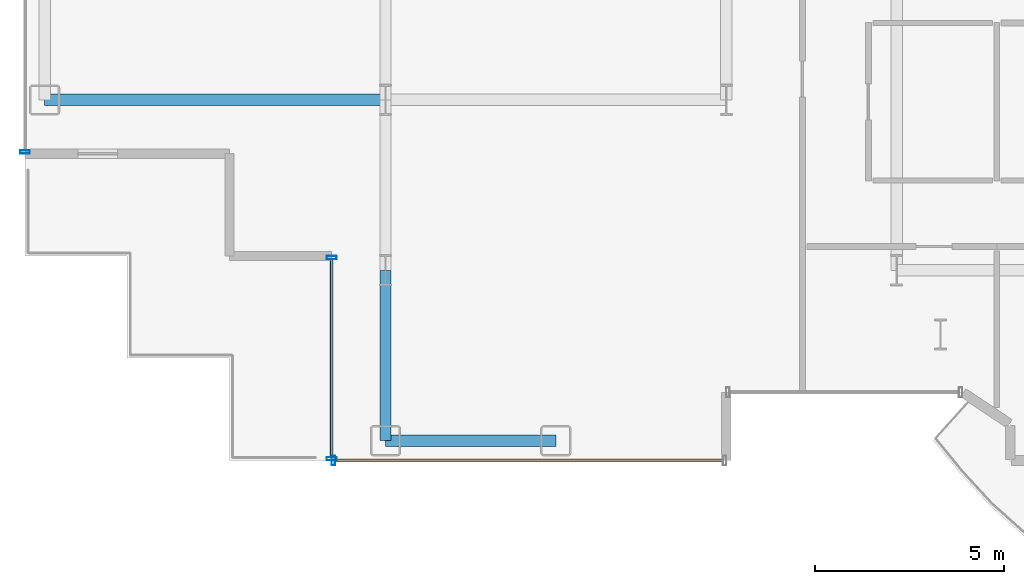
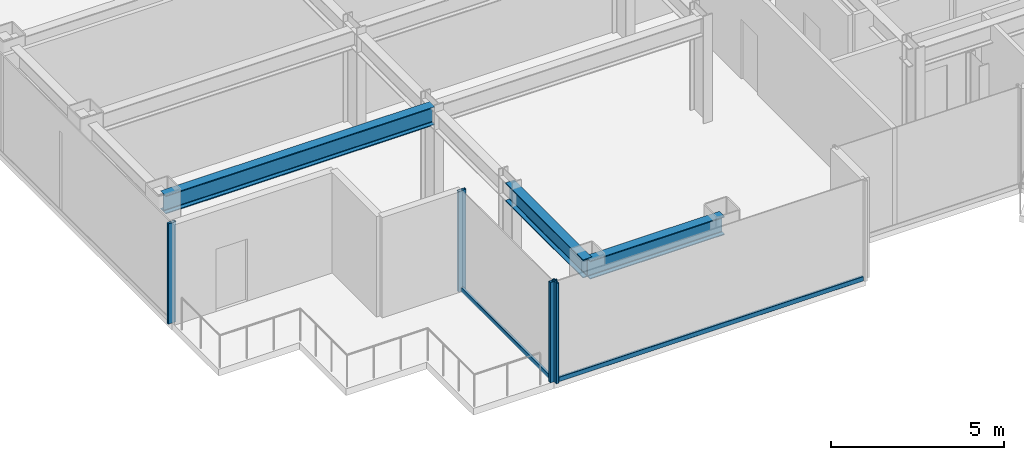
# One storey, part 3 of 23: 6 members, 3 beams, 3 elements without a shape of their own.
"""IFC4 building model written with IfcOpenShell, lengths in metres."""

from ifc_helpers import new_model, si_unit, direction, frame, origin, origin_2d, place, context, subcontext, project, spatial, hollow_rectangle, i_section, extrude, source, transform, mapped, material, layer, layer_set, material_profile, profile_set, type_object, element, aggregate, save


model = new_model("IFC4")

# Units and contexts
model_context = context("Model", 3, precision=1e-05, world=origin(), true_north=direction((0.0, 1.0)))
body_context = subcontext(model_context, "Body", "Model", "MODEL_VIEW")
ifc_project = project(units=[si_unit("LENGTHUNIT", "METRE"), si_unit("AREAUNIT", "SQUARE_METRE"), si_unit("VOLUMEUNIT", "CUBIC_METRE"), si_unit("PLANEANGLEUNIT", "RADIAN"), si_unit("MASSUNIT", "GRAM", prefix="KILO")], contexts=[model_context])

# Site, building, storey
site_placement = place(None, origin())
site = spatial("IfcSite", under=ifc_project, at=site_placement, CompositionType="ELEMENT")
building_placement = place(site_placement, origin())
building = spatial("IfcBuilding", under=site, at=building_placement, Name="Nefas-Gora Pilgrimage Tower", CompositionType="ELEMENT")
storey_placement = place(building_placement, frame((0.0, 0.0, 164.0)))
storey = spatial("IfcBuildingStorey", under=building, at=storey_placement, Name="L40", CompositionType="ELEMENT", Elevation=164.0)

# Beams
ifc_material_1 = material(Name="Steel S355", Category="steel")
ifc_material_profile_1 = material_profile(ifc_material_1, i_section(OverallWidth=0.300048828125, OverallDepth=0.64990234375, WebThickness=0.01611328125, FlangeThickness=0.031005859375, FilletRadius=0.027099609375, at=origin_2d()), Name="HEB 650")
ifc_profile_set_1 = profile_set([ifc_material_profile_1], Name="Steel S355")
beam_type_1 = type_object("IfcBeamType", Name="BM-SPN-HEB500", PredefinedType="SPANDREL", material=ifc_profile_set_1)
shared_shape_1 = source(origin(), body_context, "Body", "SweptSolid", [
    extrude(i_section(OverallWidth=0.300048828125, OverallDepth=0.64990234375, WebThickness=0.01611328125, FlangeThickness=0.031005859375, FilletRadius=0.027099609375, at=origin_2d()), origin(), (0.0, 0.0, 1.0), 4.5),
])
beam_1_placement = place(storey_placement, frame((-24.75, -22.5, 3.22509765625), z_axis=(1.0, 0.0, 0.0), x_axis=(0.0, 1.0, 0.0)))
element("IfcBeam", 1, at=beam_1_placement, inside=storey, type_object=beam_type_1, Name="L40 SP-02 beam", PredefinedType="SPANDREL", context=body_context, shape_type="MappedRepresentation", body=[
    mapped(shared_shape_1, transform((0.0, 0.0, 0.0), x_axis=(1.0, 0.0, 0.0), y_axis=(0.0, 1.0, 0.0), z_axis=(0.0, 0.0, 1.0), scale=1.0)),
])
ifc_material_profile_2 = material_profile(ifc_material_1, i_section(OverallWidth=0.300048828125, OverallDepth=0.64990234375, WebThickness=0.01611328125, FlangeThickness=0.031005859375, FilletRadius=0.027099609375, at=origin_2d()), Name="HEB 650")
ifc_profile_set_2 = profile_set([ifc_material_profile_2], Name="Steel S355")
beam_type_2 = type_object("IfcBeamType", Name="BM-GIR-HEB650", PredefinedType="BEAM", material=ifc_profile_set_2)
shared_shape_2 = source(origin(), body_context, "Body", "SweptSolid", [
    extrude(i_section(OverallWidth=0.300048828125, OverallDepth=0.64990234375, WebThickness=0.01611328125, FlangeThickness=0.031005859375, FilletRadius=0.027099609375, at=origin_2d()), origin(), (0.0, 0.0, 1.0), 9.0),
])
beam_2_placement = place(storey_placement, frame((-33.75, -13.5, 3.22509765625), z_axis=(1.0, 0.0, 0.0), x_axis=(0.0, 1.0, 0.0)))
element("IfcBeam", 2, at=beam_2_placement, inside=storey, type_object=beam_type_2, Name="L40 G-03 beam", PredefinedType="BEAM", context=body_context, shape_type="MappedRepresentation", body=[
    mapped(shared_shape_2, transform((0.0, 0.0, 0.0), x_axis=(1.0, 0.0, 0.0), y_axis=(0.0, 1.0, 0.0), z_axis=(0.0, 0.0, 1.0), scale=1.0)),
])
shared_shape_3 = source(origin(), body_context, "Body", "SweptSolid", [
    extrude(i_section(OverallWidth=0.300048828125, OverallDepth=0.64990234375, WebThickness=0.01611328125, FlangeThickness=0.031005859375, FilletRadius=0.027099609375, at=origin_2d()), origin(), (0.0, 0.0, 1.0), 4.5),
])
beam_3_placement = place(storey_placement, frame((-24.75, -22.5, 3.22509765625), z_axis=(0.0, 1.0, 0.0), x_axis=(-1.0, 0.0, 0.0)))
element("IfcBeam", 3, at=beam_3_placement, inside=storey, type_object=beam_type_2, Name="L40 G-03 beam", PredefinedType="BEAM", context=body_context, shape_type="MappedRepresentation", body=[
    mapped(shared_shape_3, transform((0.0, 0.0, 0.0), x_axis=(1.0, 0.0, 0.0), y_axis=(0.0, 1.0, 0.0), z_axis=(0.0, 0.0, 1.0), scale=1.0)),
])

# Curtain wall, member
ifc_material_2 = material(Name="Dark ceramic-fritted solar-control aluminium-glass curtain wall", Category="aluminium")
ifc_layer = layer(ifc_material_2, 0.219970703125)
ifc_layer_set = layer_set([ifc_layer], Name="Dark ceramic-fritted solar-control aluminium-glass curtain wall")
curtain_wall_type = type_object("IfcCurtainWallType", Name="CW-SYS-3", PredefinedType="NOTDEFINED", material=ifc_layer_set)
curtain_wall_1_placement = place(storey_placement, origin())
curtain_wall_1 = element("IfcCurtainWall", 4, at=curtain_wall_1_placement, inside=storey, type_object=curtain_wall_type, Name="L40 Unitised Curtain Wall CW3", PredefinedType="NOTDEFINED")
ifc_material_3 = material(Name="Anodised architectural aluminium", Category="aluminium")
ifc_material_profile_3 = material_profile(ifc_material_3, hollow_rectangle(XDim=0.090087890625, YDim=0.260009765625, WallThickness=0.006103515625, InnerFilletRadius=0.006103515625, OuterFilletRadius=0.011962890625, at=origin_2d()), Name="ALU MULLION 90x260")
ifc_profile_set_3 = profile_set([ifc_material_profile_3], Name="Anodised architectural aluminium")
member_type_1 = type_object("IfcMemberType", Name="CWM-MUL-3", PredefinedType="MULLION", material=ifc_profile_set_3)
shared_shape_4 = source(origin(), body_context, "Body", "SweptSolid", [
    extrude(hollow_rectangle(XDim=0.090087890625, YDim=0.260009765625, WallThickness=0.006103515625, InnerFilletRadius=0.006103515625, OuterFilletRadius=0.011962890625, at=origin_2d()), origin(), (0.0, 0.0, 1.0), 3.550048828125),
])
member_1_placement = place(storey_placement, frame((-34.27001953125, -14.875, 0.0), z_axis=(0.0, 0.0, 1.0), x_axis=(0.0, -1.0, 0.0)))
member_1 = element("IfcMember", 5, at=member_1_placement, type_object=member_type_1, Name="CW3 Mullion 2", PredefinedType="MULLION", context=body_context, shape_type="MappedRepresentation", body=[
    mapped(shared_shape_4, transform((0.0, 0.0, 0.0), x_axis=(1.0, 0.0, 0.0), y_axis=(0.0, 1.0, 0.0), z_axis=(0.0, 0.0, 1.0), scale=1.0)),
])
aggregate(curtain_wall_1, [member_1])

# Curtain wall, members
curtain_wall_2_placement = place(storey_placement, origin())
curtain_wall_2 = element("IfcCurtainWall", 6, at=curtain_wall_2_placement, inside=storey, type_object=curtain_wall_type, Name="L40 Unitised Curtain Wall CW3", PredefinedType="NOTDEFINED")
member_2_placement = place(storey_placement, frame((-26.169921875, -17.6650390625, 0.0), z_axis=(0.0, 0.0, 1.0), x_axis=(0.0, -1.0, 0.0)))
member_2 = element("IfcMember", 7, at=member_2_placement, type_object=member_type_1, Name="CW3 Mullion 1", PredefinedType="MULLION", context=body_context, shape_type="MappedRepresentation", body=[
    mapped(shared_shape_4, transform((0.0, 0.0, 0.0), x_axis=(1.0, 0.0, 0.0), y_axis=(0.0, 1.0, 0.0), z_axis=(0.0, 0.0, 1.0), scale=1.0)),
])
member_3_placement = place(storey_placement, frame((-26.169921875, -22.97509765625, 0.0), z_axis=(0.0, 0.0, 1.0), x_axis=(0.0, -1.0, 0.0)))
member_3 = element("IfcMember", 8, at=member_3_placement, type_object=member_type_1, Name="CW3 Mullion 2", PredefinedType="MULLION", context=body_context, shape_type="MappedRepresentation", body=[
    mapped(shared_shape_4, transform((0.0, 0.0, 0.0), x_axis=(1.0, 0.0, 0.0), y_axis=(0.0, 1.0, 0.0), z_axis=(0.0, 0.0, 1.0), scale=1.0)),
])

# Curtain wall, member
curtain_wall_3_placement = place(storey_placement, origin())
curtain_wall_3 = element("IfcCurtainWall", 9, at=curtain_wall_3_placement, inside=storey, type_object=curtain_wall_type, Name="L40 Unitised Curtain Wall CW3", PredefinedType="NOTDEFINED")
member_4_placement = place(storey_placement, frame((-26.125, -23.02001953125, 0.0), z_axis=(0.0, 0.0, 1.0), x_axis=(1.0, 0.0, 0.0)))
member_4 = element("IfcMember", 10, at=member_4_placement, type_object=member_type_1, Name="CW3 Mullion 1", PredefinedType="MULLION", context=body_context, shape_type="MappedRepresentation", body=[
    mapped(shared_shape_4, transform((0.0, 0.0, 0.0), x_axis=(1.0, 0.0, 0.0), y_axis=(0.0, 1.0, 0.0), z_axis=(0.0, 0.0, 1.0), scale=1.0)),
])

# Member
ifc_material_profile_4 = material_profile(ifc_material_3, hollow_rectangle(XDim=0.080078125, YDim=0.159912109375, WallThickness=0.00439453125, InnerFilletRadius=0.00439453125, OuterFilletRadius=0.009033203125, at=origin_2d()), Name="ALU TRANSOM 80x160")
ifc_profile_set_4 = profile_set([ifc_material_profile_4], Name="Anodised architectural aluminium")
member_type_2 = type_object("IfcMemberType", Name="CWM-TRN-3", PredefinedType="USERDEFINED", material=ifc_profile_set_4)
shared_shape_5 = source(origin(), body_context, "Body", "SweptSolid", [
    extrude(hollow_rectangle(XDim=0.080078125, YDim=0.159912109375, WallThickness=0.00439453125, InnerFilletRadius=0.00439453125, OuterFilletRadius=0.009033203125, at=origin_2d()), origin(), (0.0, 0.0, 1.0), 5.219970703125),
])
member_5_placement = place(storey_placement, frame((-26.169921875, -17.7099609375, 0.050048828125), z_axis=(0.0, -1.0, 0.0), x_axis=(1.0, 0.0, 0.0)))
member_5 = element("IfcMember", 11, at=member_5_placement, type_object=member_type_2, Name="CW3 Spandrel Transom", ObjectType="TRANSOM", PredefinedType="USERDEFINED", context=body_context, shape_type="MappedRepresentation", body=[
    mapped(shared_shape_5, transform((0.0, 0.0, 0.0), x_axis=(1.0, 0.0, 0.0), y_axis=(0.0, 1.0, 0.0), z_axis=(0.0, 0.0, 1.0), scale=1.0)),
])

aggregate(curtain_wall_2, [member_2, member_3, member_5])

shared_shape_6 = source(origin(), body_context, "Body", "SweptSolid", [
    extrude(hollow_rectangle(XDim=0.080078125, YDim=0.159912109375, WallThickness=0.00439453125, InnerFilletRadius=0.00439453125, OuterFilletRadius=0.009033203125, at=origin_2d()), origin(), (0.0, 0.0, 1.0), 10.239990234375),
])
member_6_placement = place(storey_placement, frame((-26.080078125, -23.02001953125, 0.050048828125), z_axis=(1.0, 0.0, 0.0), x_axis=(0.0, 1.0, 0.0)))
member_6 = element("IfcMember", 12, at=member_6_placement, type_object=member_type_2, Name="CW3 Spandrel Transom", ObjectType="TRANSOM", PredefinedType="USERDEFINED", context=body_context, shape_type="MappedRepresentation", body=[
    mapped(shared_shape_6, transform((0.0, 0.0, 0.0), x_axis=(1.0, 0.0, 0.0), y_axis=(0.0, 1.0, 0.0), z_axis=(0.0, 0.0, 1.0), scale=1.0)),
])

aggregate(curtain_wall_3, [member_4, member_6])

save(model, "model.ifc")
